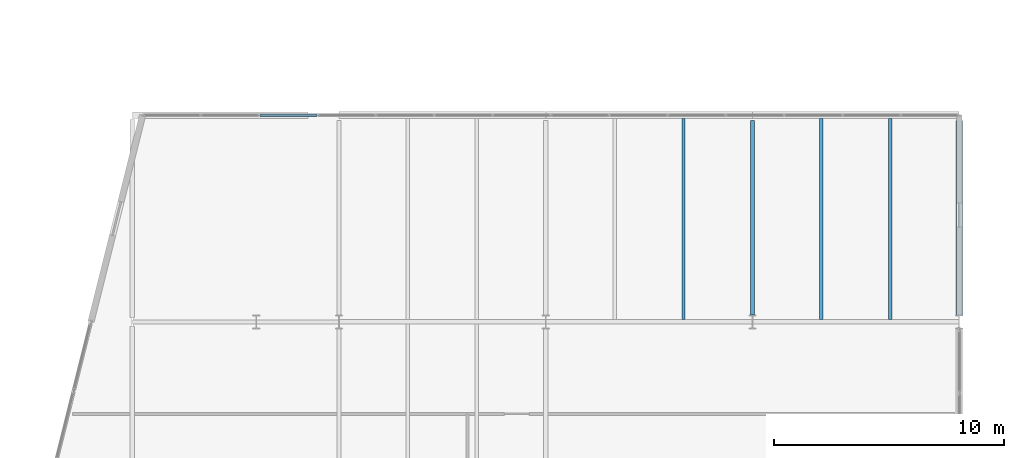
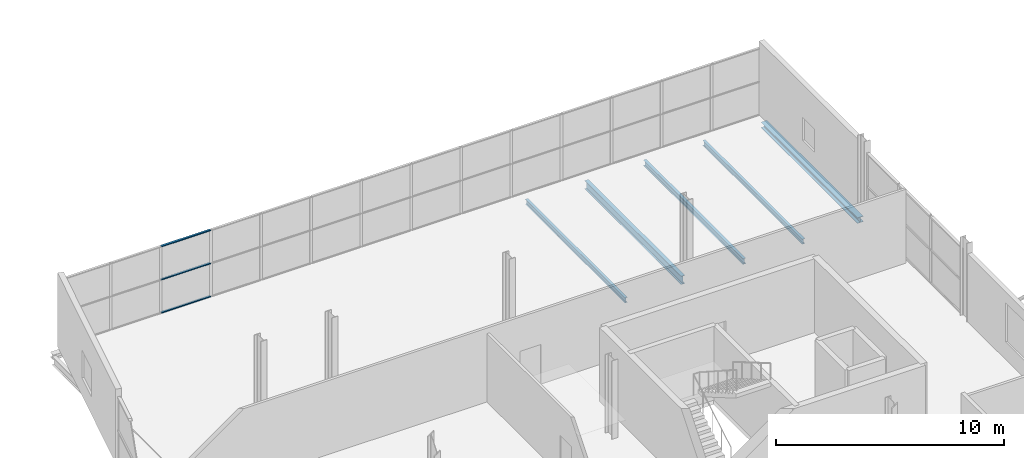
# One storey, part 44 of 59: 5 beams, 3 members, 1 element without a shape of its own.
"""IFC4 building model written with IfcOpenShell, lengths in metres."""

import ifcopenshell
import ifcopenshell.guid

model = None  # the IFC model being written
_history = None  # IfcOwnerHistory: only IFC2X3 demands one
_inside = {}  # id of a spatial element -> (the spatial element, [elements in it])
_under = {}  # id of a project, library or spatial element -> (it, [spatial elements below it])
_declared = {}  # id of a project -> (the project, [libraries it declares])
_typed = {}  # id of a type object -> (the type object, [elements of that type])
_made_of = {}  # id of a material, layer set ... -> (it, [elements and type objects made of it])


def new_model(schema):
    """Start an empty IFC model of exactly this schema.

    Asked for "IFC4X3", IfcOpenShell would pick the latest addendum, in which some entities
    have other attributes; the version numbers below select the first issue.
    IFC2X3 requires an IfcOwnerHistory on every rooted entity: one is made here for all.
    """
    global model, _history
    if schema == "IFC4X3":
        model = ifcopenshell.file(schema_version=(4, 3, 0, 0))
    else:
        model = ifcopenshell.file(schema=schema)
    _inside.clear()
    _under.clear()
    _declared.clear()
    _typed.clear()
    _made_of.clear()
    _history = None
    if model.schema == "IFC2X3":
        org = make("IfcOrganization", Name="unknown")
        user = make(
            "IfcPersonAndOrganization",
            ThePerson=make("IfcPerson", FamilyName="unknown"),
            TheOrganization=org,
        )
        app = make(
            "IfcApplication",
            ApplicationDeveloper=org,
            Version="unknown",
            ApplicationFullName="unknown",
            ApplicationIdentifier="unknown",
        )
        _history = make(
            "IfcOwnerHistory",
            OwningUser=user,
            OwningApplication=app,
            ChangeAction="ADDED",
            CreationDate=0,
        )
    return model


def make(cls, **values):
    """One entity of the class cls with the attributes given. An attribute that is None is left unset."""
    return model.create_entity(
        cls, **{name: value for name, value in values.items() if value is not None}
    )


def rooted(cls, **values):
    """An entity with a GlobalId (a new one), such as an element, a storey or a relation."""
    return make(cls, GlobalId=ifcopenshell.guid.new(), OwnerHistory=_history, **values)


def si_unit(unit_type, name, prefix=None):
    """IfcSIUnit, for example si_unit("LENGTHUNIT", "METRE", prefix="MILLI")."""
    return make("IfcSIUnit", UnitType=unit_type, Prefix=prefix, Name=name)


def assignment(units):
    """IfcUnitAssignment: the units of a project."""
    return None if units is None else make("IfcUnitAssignment", Units=units)


def point(xyz):
    """IfcCartesianPoint."""
    return None if xyz is None else make("IfcCartesianPoint", Coordinates=xyz)


def direction(xyz):
    """IfcDirection."""
    return None if xyz is None else make("IfcDirection", DirectionRatios=xyz)


def frame(location, z_axis=None, x_axis=None):
    """IfcAxis2Placement3D, a coordinate frame: its origin and axes. An axis left out is left unset."""
    return make(
        "IfcAxis2Placement3D",
        Location=point(location),
        Axis=direction(z_axis),
        RefDirection=direction(x_axis),
    )


def frame_2d(location, x_axis=None):
    """IfcAxis2Placement2D, a coordinate frame in the plane: its origin and x axis."""
    return make(
        "IfcAxis2Placement2D", Location=point(location), RefDirection=direction(x_axis)
    )


def origin():
    """The frame at (0, 0, 0) with its axes left unset."""
    return frame((0.0, 0.0, 0.0))


def origin_2d():
    """The frame at (0, 0) in the plane with its x axis left unset."""
    return frame_2d((0.0, 0.0))


def place(relative_to, where):
    """IfcLocalPlacement: puts the frame where relative to a parent placement (None: the world)."""
    return make(
        "IfcLocalPlacement", PlacementRelTo=relative_to, RelativePlacement=where
    )


def context(
    kind, dimensions, precision=None, world=None, true_north=None, identifier=None
):
    """IfcGeometricRepresentationContext, for example the 3D "Model" context."""
    return make(
        "IfcGeometricRepresentationContext",
        ContextIdentifier=identifier,
        ContextType=kind,
        CoordinateSpaceDimension=dimensions,
        Precision=precision,
        WorldCoordinateSystem=world,
        TrueNorth=true_north,
    )


def subcontext(parent, identifier, kind, view, scale=None):
    """IfcGeometricRepresentationSubContext, for example "Body" below "Model"."""
    return make(
        "IfcGeometricRepresentationSubContext",
        ContextIdentifier=identifier,
        ContextType=kind,
        ParentContext=parent,
        TargetScale=scale,
        TargetView=view,
    )


def project(units=None, contexts=None):
    """IfcProject with its units and contexts."""
    return rooted(
        "IfcProject",
        Name="project",
        RepresentationContexts=contexts,
        UnitsInContext=assignment(units),
    )


def spatial(cls, under=None, at=None, **own):
    """A site, building, storey or space (cls), placed at a placement, below another one or the project."""
    s = rooted(cls, ObjectPlacement=at, **own)
    if under is not None:
        _under.setdefault(under.id(), (under, []))[1].append(s)
    return s


def profile(cls, at=None, kind="AREA", **sizes):
    """A parametric profile (cls). Its sizes go by their IFC names, for example OverallWidth=200.0."""
    return make(cls, ProfileType=kind, Position=at, **sizes)


def hollow_rectangle(**sizes):
    """IfcRectangleHollowProfileDef."""
    return profile("IfcRectangleHollowProfileDef", **sizes)


def i_section(**sizes):
    """IfcIShapeProfileDef."""
    return profile("IfcIShapeProfileDef", **sizes)


def extrude(swept, where, along, depth):
    """IfcExtrudedAreaSolid: the profile swept, set in the frame where, extruded along a direction by depth."""
    return make(
        "IfcExtrudedAreaSolid",
        SweptArea=swept,
        Position=where,
        ExtrudedDirection=direction(along),
        Depth=depth,
    )


def shape(context_of_items, identifier, shape_type, items):
    """IfcShapeRepresentation: the items that make up one representation, for example the "Body"."""
    return make(
        "IfcShapeRepresentation",
        ContextOfItems=context_of_items,
        RepresentationIdentifier=identifier,
        RepresentationType=shape_type,
        Items=items,
    )


def material(Name=None, Category=None):
    """IfcMaterial."""
    return make("IfcMaterial", Name=Name, Category=Category)


def layer(
    of_material, thickness, ventilated=None, Name=None, Category=None, Priority=None
):
    """IfcMaterialLayer: one layer of a wall or slab, of a material (None: an air gap)."""
    return make(
        "IfcMaterialLayer",
        Material=of_material,
        LayerThickness=thickness,
        IsVentilated=ventilated,
        Name=Name,
        Category=Category,
        Priority=Priority,
    )


def layer_set(layers, Name=None):
    """IfcMaterialLayerSet."""
    return make("IfcMaterialLayerSet", MaterialLayers=layers, LayerSetName=Name)


def material_profile(
    of_material, cross_section, Name=None, Category=None, Priority=None
):
    """IfcMaterialProfile: a cross section and its material."""
    return make(
        "IfcMaterialProfile",
        Name=Name,
        Material=of_material,
        Profile=cross_section,
        Priority=Priority,
        Category=Category,
    )


def profile_set(profiles, Name=None, composite=None):
    """IfcMaterialProfileSet."""
    return make(
        "IfcMaterialProfileSet",
        Name=Name,
        MaterialProfiles=profiles,
        CompositeProfile=composite,
    )


def made_of(thing, what):
    """Note that an element or type object is made of a material, layer set ...; save() writes the relation."""
    if what is not None:
        _made_of.setdefault(what.id(), (what, []))[1].append(thing)
    return thing


def type_object(cls, material=None, **own):
    """A type object (cls), such as IfcWallType, which elements share."""
    return made_of(rooted(cls, **own), material)


def element(
    cls,
    number,
    at=None,
    inside=None,
    cuts=None,
    type_object=None,
    material=None,
    context=None,
    identifier="Body",
    shape_type=None,
    held_by="IfcProductDefinitionShape",
    body=None,
    shapes=None,
    **own,
):
    """One element of the class cls, such as IfcWall. Its Tag is "e" and its number.

    at: its placement. inside: the storey or other place that contains it. cuts: it is an
    opening in that element (IfcRelVoidsElement). A single representation is given by context,
    identifier, shape_type and body (its items); several are given by shapes. held_by: the class
    of the entity that holds the representations. save() writes the other relations.
    """
    e = rooted(cls, Tag="e%d" % number, ObjectPlacement=at, **own)
    if body is not None:
        shapes = [shape(context, identifier, shape_type, body)]
    if shapes is not None:
        e.Representation = make(held_by, Representations=shapes)
    if inside is not None:
        _inside.setdefault(inside.id(), (inside, []))[1].append(e)
    if cuts is not None:
        rooted(
            "IfcRelVoidsElement", RelatingBuildingElement=cuts, RelatedOpeningElement=e
        )
    if type_object is not None:
        _typed.setdefault(type_object.id(), (type_object, []))[1].append(e)
    return made_of(e, material)


def aggregate(whole, parts):
    """IfcRelAggregates: a whole, such as a stair, and the parts it consists of."""
    return rooted("IfcRelAggregates", RelatingObject=whole, RelatedObjects=parts)


def save(model, path):
    """Write the relations noted so far, then the file.

    IfcRelAggregates (storeys below a building ...), IfcRelContainedInSpatialStructure (elements
    in a storey), IfcRelDefinesByType, IfcRelAssociatesMaterial and IfcRelDeclares: one each for
    every whole, place, type object, material and project.
    """
    for whole, parts in _under.values():
        aggregate(whole, parts)
    for where, things in _inside.values():
        rooted(
            "IfcRelContainedInSpatialStructure",
            RelatedElements=things,
            RelatingStructure=where,
        )
    for kind, things in _typed.values():
        rooted("IfcRelDefinesByType", RelatedObjects=things, RelatingType=kind)
    for what, things in _made_of.values():
        rooted("IfcRelAssociatesMaterial", RelatedObjects=things, RelatingMaterial=what)
    for by, libraries in _declared.values():
        rooted("IfcRelDeclares", RelatingContext=by, RelatedDefinitions=libraries)
    model.write(path)


model = new_model("IFC4")

# Units and contexts
model_context = context("Model", 3, precision=1e-05, world=origin(), true_north=direction((0.0, 1.0)))
body_context = subcontext(model_context, "Body", "Model", "MODEL_VIEW")
ifc_project = project(units=[si_unit("LENGTHUNIT", "METRE"), si_unit("AREAUNIT", "SQUARE_METRE"), si_unit("VOLUMEUNIT", "CUBIC_METRE"), si_unit("PLANEANGLEUNIT", "RADIAN"), si_unit("MASSUNIT", "GRAM", prefix="KILO")], contexts=[model_context])

# Site, building, storey
site_placement = place(None, origin())
site = spatial("IfcSite", under=ifc_project, at=site_placement, CompositionType="ELEMENT")
building_placement = place(site_placement, origin())
building = spatial("IfcBuilding", under=site, at=building_placement, Name="Deido Ridge Mobility Hub", CompositionType="ELEMENT")
storey_placement = place(building_placement, frame((0.0, 0.0, 21.0)))
storey = spatial("IfcBuildingStorey", under=building, at=storey_placement, Name="L05", CompositionType="ELEMENT", Elevation=21.0)

# Beams
ifc_material_1 = material(Name="Steel S355J2 EN 10025-2", Category="steel")
ifc_material_profile_1 = material_profile(ifc_material_1, i_section(OverallWidth=0.18994140625, OverallDepth=0.449951171875, WebThickness=0.009521484375, FlangeThickness=0.0146484375, FilletRadius=0.02099609375, at=origin_2d()), Name="IPE 450")
ifc_profile_set_1 = profile_set([ifc_material_profile_1], Name="Steel S355J2 EN 10025-2")
beam_type_1 = type_object("IfcBeamType", Name="BM-IPE450", PredefinedType="BEAM", material=ifc_profile_set_1)
beam_1_placement = place(storey_placement, frame((171.0, 54.300048828125, -0.469970703125), z_axis=(0.0, 1.0, 0.0), x_axis=(-1.0, 0.0, 0.0)))
element("IfcBeam", 1, at=beam_1_placement, inside=storey, type_object=beam_type_1, Name="Floor beam B4", PredefinedType="BEAM", context=body_context, shape_type="SweptSolid", body=[
    extrude(i_section(OverallWidth=0.18994140625, OverallDepth=0.449951171875, WebThickness=0.009521484375, FlangeThickness=0.0146484375, FilletRadius=0.02099609375, at=origin_2d()), origin(), (0.0, 0.0, 1.0), 8.474853515625),
])
ifc_material_profile_2 = material_profile(ifc_material_1, i_section(OverallWidth=0.135009765625, OverallDepth=0.27001953125, WebThickness=0.006591796875, FlangeThickness=0.01025390625, FilletRadius=0.014892578125, at=origin_2d()), Name="IPE 270")
ifc_profile_set_2 = profile_set([ifc_material_profile_2], Name="Steel S355J2 EN 10025-2")
beam_type_2 = type_object("IfcBeamType", Name="JST-IPE270", PredefinedType="JOIST", material=ifc_profile_set_2)
for number, where, z_axis, x_axis, name in (
    (2, (168.0, 54.10009765625, -0.3798828125), (0.0, 1.0, 0.0), (-1.0, 0.0, 0.0), "Composite joist J4"),
    (3, (177.0, 54.10009765625, -0.3798828125), (0.0, 1.0, 0.0), (-1.0, 0.0, 0.0), "Composite joist J4"),
):
    element("IfcBeam", number, at=place(storey_placement, frame(where, z_axis=z_axis, x_axis=x_axis)), inside=storey, type_object=beam_type_2, Name=name, PredefinedType="JOIST", context=body_context, shape_type="SweptSolid", body=[
        extrude(i_section(OverallWidth=0.135009765625, OverallDepth=0.27001953125, WebThickness=0.006591796875, FlangeThickness=0.01025390625, FilletRadius=0.014892578125, at=origin_2d()), origin(), (0.0, 0.0, 1.0), 8.75),
    ])
ifc_material_profile_3 = material_profile(ifc_material_1, i_section(OverallWidth=0.14990234375, OverallDepth=0.300048828125, WebThickness=0.007080078125, FlangeThickness=0.0107421875, FilletRadius=0.014892578125, at=origin_2d()), Name="IPE 300")
ifc_profile_set_3 = profile_set([ifc_material_profile_3], Name="Steel S355J2 EN 10025-2")
beam_type_3 = type_object("IfcBeamType", Name="JST-IPE300", PredefinedType="JOIST", material=ifc_profile_set_3)
beam_2_placement = place(storey_placement, frame((174.0, 54.10009765625, -0.39501953125), z_axis=(0.0, 1.0, 0.0), x_axis=(-1.0, 0.0, 0.0)))
element("IfcBeam", 4, at=beam_2_placement, inside=storey, type_object=beam_type_3, Name="Composite joist J3", PredefinedType="JOIST", context=body_context, shape_type="SweptSolid", body=[
    extrude(i_section(OverallWidth=0.14990234375, OverallDepth=0.300048828125, WebThickness=0.007080078125, FlangeThickness=0.0107421875, FilletRadius=0.014892578125, at=origin_2d()), origin(), (0.0, 0.0, 1.0), 8.75),
])

# Curtain wall, members
ifc_material_2 = material(Name="Anodised aluminium EN AW-6063 T6", Category="aluminium")
ifc_layer = layer(ifc_material_2, 0.14404296875, Name="Anodised aluminium EN AW-6063 T6")
ifc_layer_set = layer_set([ifc_layer], Name="Anodised aluminium EN AW-6063 T6")
curtain_wall_type = type_object("IfcCurtainWallType", Name="CW-GS-2", PredefinedType="USERDEFINED", material=ifc_layer_set)
curtain_wall_placement = place(storey_placement, origin())
curtain_wall = element("IfcCurtainWall", 5, at=curtain_wall_placement, inside=storey, type_object=curtain_wall_type, Name="Unitised curtain wall GS2", ObjectType="GLAZED SCREEN", PredefinedType="USERDEFINED")
ifc_material_profile_4 = material_profile(ifc_material_2, hollow_rectangle(XDim=0.10498046875, YDim=0.050048828125, WallThickness=0.00390625, at=origin_2d()), Name="RHS 105x50x4")
ifc_profile_set_4 = profile_set([ifc_material_profile_4], Name="Anodised aluminium EN AW-6063 T6")
member_type = type_object("IfcMemberType", Name="MEM-TRN-105X50", PredefinedType="USERDEFINED", material=ifc_profile_set_4)
member_1_placement = place(storey_placement, frame((149.553466796875, 63.0, 0.02490234375), z_axis=(1.0, 0.0, 0.0), x_axis=(0.0, 1.0, 0.0)))
member_1 = element("IfcMember", 6, at=member_1_placement, type_object=member_type, Name="GS2 transom 3.1", ObjectType="TRANSOM", PredefinedType="USERDEFINED", context=body_context, shape_type="SweptSolid", body=[
    extrude(hollow_rectangle(XDim=0.10498046875, YDim=0.050048828125, WallThickness=0.00390625, at=origin_2d()), origin(), (0.0, 0.0, 1.0), 2.489501953125),
])
member_2_placement = place(storey_placement, frame((149.553466796875, 63.0, 1.800048828125), z_axis=(1.0, 0.0, 0.0), x_axis=(0.0, 1.0, 0.0)))
member_2 = element("IfcMember", 7, at=member_2_placement, type_object=member_type, Name="GS2 transom 3.2", ObjectType="TRANSOM", PredefinedType="USERDEFINED", context=body_context, shape_type="SweptSolid", body=[
    extrude(hollow_rectangle(XDim=0.10498046875, YDim=0.050048828125, WallThickness=0.00390625, at=origin_2d()), origin(), (0.0, 0.0, 1.0), 2.489501953125),
])
member_3_placement = place(storey_placement, frame((149.553466796875, 63.0, 3.574951171875), z_axis=(1.0, 0.0, 0.0), x_axis=(0.0, 1.0, 0.0)))
member_3 = element("IfcMember", 8, at=member_3_placement, type_object=member_type, Name="GS2 transom 3.3", ObjectType="TRANSOM", PredefinedType="USERDEFINED", context=body_context, shape_type="SweptSolid", body=[
    extrude(hollow_rectangle(XDim=0.10498046875, YDim=0.050048828125, WallThickness=0.00390625, at=origin_2d()), origin(), (0.0, 0.0, 1.0), 2.489501953125),
])
aggregate(curtain_wall, [member_1, member_2, member_3])

# Beam
ifc_material_profile_5 = material_profile(ifc_material_1, i_section(OverallWidth=0.300048828125, OverallDepth=0.300048828125, WebThickness=0.010986328125, FlangeThickness=0.01904296875, FilletRadius=0.027099609375, at=origin_2d()), Name="HEB 300")
ifc_profile_set_5 = profile_set([ifc_material_profile_5], Name="Steel S355J2 EN 10025-2")
beam_type_4 = type_object("IfcBeamType", Name="SPD-HEB300", PredefinedType="SPANDREL", material=ifc_profile_set_5)
beam_3_placement = place(storey_placement, frame((180.0, 54.300048828125, -0.39501953125), z_axis=(0.0, 1.0, 0.0), x_axis=(-1.0, 0.0, 0.0)))
element("IfcBeam", 9, at=beam_3_placement, inside=storey, type_object=beam_type_4, Name="Floor beam SP1", PredefinedType="SPANDREL", context=body_context, shape_type="SweptSolid", body=[
    extrude(i_section(OverallWidth=0.300048828125, OverallDepth=0.300048828125, WebThickness=0.010986328125, FlangeThickness=0.01904296875, FilletRadius=0.027099609375, at=origin_2d()), origin(), (0.0, 0.0, 1.0), 8.474853515625),
])

save(model, "model.ifc")
